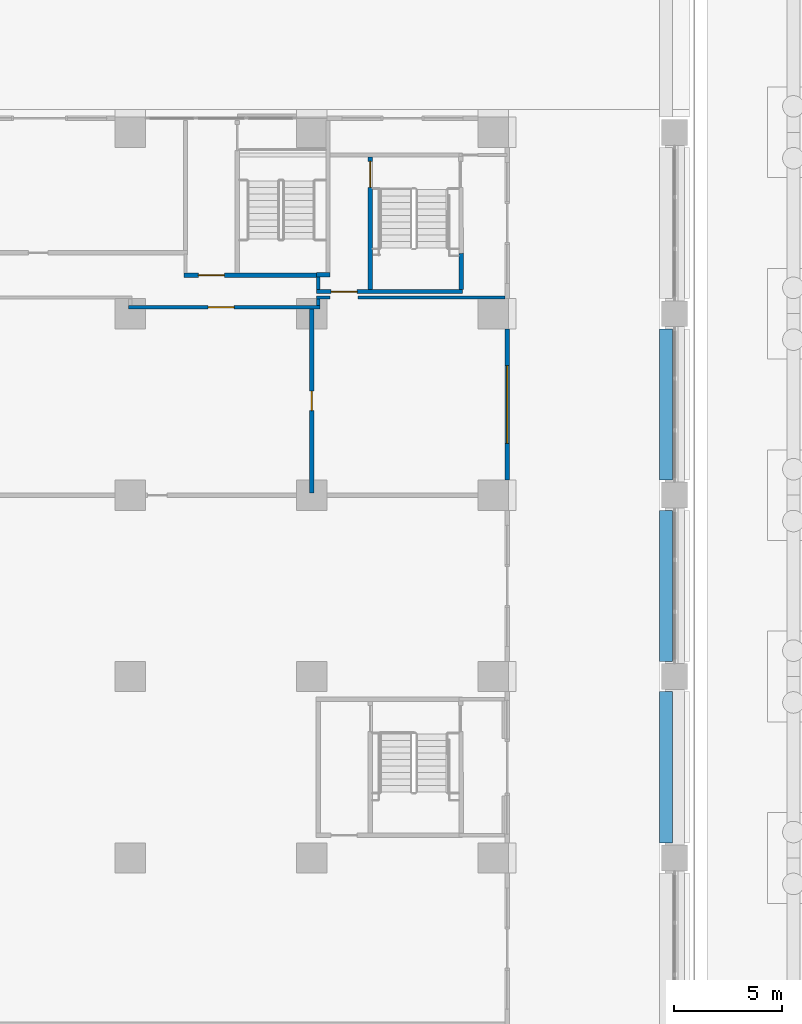
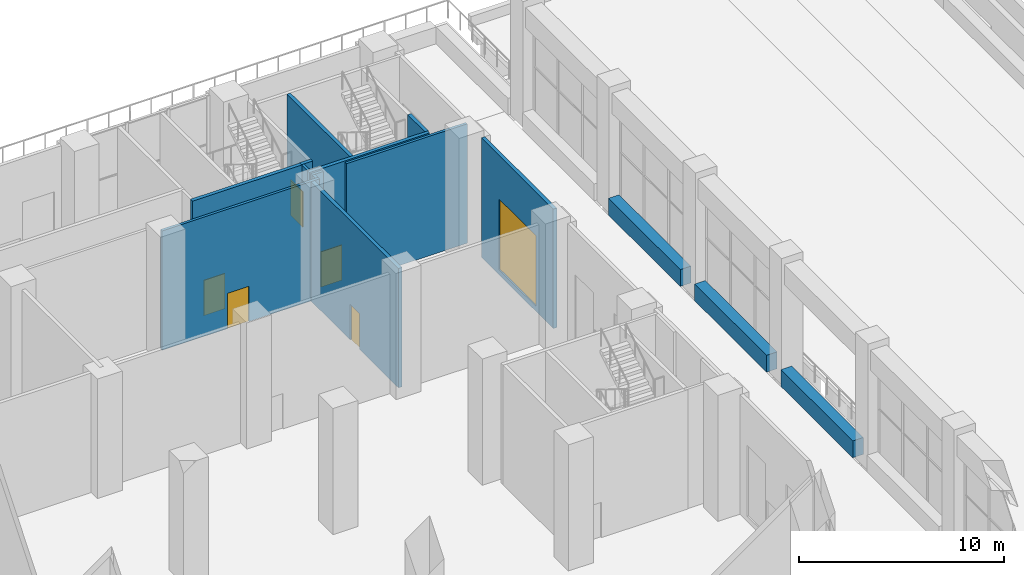
# One storey, part 30 of 53: 15 walls, 5 doors, 1 window, 6 openings.
"""IFC4 building model written with IfcOpenShell, lengths in metres."""

from ifc_helpers import new_model, si_unit, direction, frame, frame_2d, origin, place, context, subcontext, project, spatial, rectangle, extrude, material, layer, layer_set, type_object, element, fill, save


model = new_model("IFC4")

# Units and contexts
model_context = context("Model", 3, precision=1e-05, world=origin(), true_north=direction((0.0, 1.0)))
body_context = subcontext(model_context, "Body", "Model", "MODEL_VIEW")
ifc_project = project(units=[si_unit("LENGTHUNIT", "METRE"), si_unit("AREAUNIT", "SQUARE_METRE"), si_unit("VOLUMEUNIT", "CUBIC_METRE"), si_unit("PLANEANGLEUNIT", "RADIAN"), si_unit("MASSUNIT", "GRAM", prefix="KILO")], contexts=[model_context])

# Site, building, storey
site_placement = place(None, origin())
site = spatial("IfcSite", under=ifc_project, at=site_placement, CompositionType="ELEMENT")
building_placement = place(site_placement, origin())
building = spatial("IfcBuilding", under=site, at=building_placement, Name="Vermilion Ogive Tower", CompositionType="ELEMENT")
storey_placement = place(building_placement, origin())
storey = spatial("IfcBuildingStorey", under=building, at=storey_placement, Name="L00", CompositionType="ELEMENT", Elevation=0.0)

# Wall, opening, door
ifc_material_1 = material(Name="Gypsum board partition on steel studs", Category="steel")
ifc_layer_1 = layer(ifc_material_1, 0.14990234375)
ifc_layer_set_1 = layer_set([ifc_layer_1], Name="Partition 150 corridor")
wall_type_1 = type_object("IfcWallType", Name="Partition 150 corridor", PredefinedType="PARTITIONING", material=ifc_layer_set_1)
wall_1_placement = place(storey_placement, frame((33.52490234375, 21.300048828125, 0.0), z_axis=(0.0, 0.0, 1.0), x_axis=(1.0, 0.0, 0.0)))
wall_1 = element("IfcWall", 1, at=wall_1_placement, inside=storey, type_object=wall_type_1, Name="L00-FS-W-W036", PredefinedType="PARTITIONING", context=body_context, shape_type="SweptSolid", body=[
    extrude(rectangle(XDim=8.85009765625, YDim=0.14990234375, at=frame_2d((4.425048828125, 0.0))), origin(), (0.0, 0.0, 1.0), 7.10009765625),
])
opening_1_placement = place(wall_1_placement, frame((3.675048828125, 0.0, 0.0)))
opening_1 = element("IfcOpeningElement", 2, at=opening_1_placement, cuts=wall_1, Name="Opening L00S046", PredefinedType="OPENING", context=body_context, shape_type="SweptSolid", body=[
    extrude(rectangle(XDim=1.199951171875, YDim=2.10009765625, at=frame_2d((0.60009765625, 1.050048828125))), frame((0.0, 0.0849609375, 0.0), z_axis=(0.0, -1.0, 0.0), x_axis=(1.0, 0.0, 0.0)), (0.0, 0.0, 1.0), 0.169921875),
])
ifc_material_2 = material(Name="Timber door leaf", Category="wood")
door_type_1 = type_object("IfcDoorType", Name="Room door 1200 x 2100 FD30", OperationType="SINGLE_SWING_LEFT", PredefinedType="DOOR", material=ifc_material_2)
door_1_placement = place(opening_1_placement, origin())
door_1 = element("IfcDoor", 3, at=door_1_placement, inside=storey, type_object=door_type_1, Name="L00-FS-D-D046", OperationType="SINGLE_SWING_RIGHT", OverallHeight=2.10009765625, OverallWidth=1.199951171875, PredefinedType="DOOR", context=body_context, shape_type="SweptSolid", body=[
    extrude(rectangle(XDim=1.199951171875, YDim=2.10009765625, at=frame_2d((0.60009765625, 1.050048828125))), frame((0.0, 0.02490234375, 0.0), z_axis=(0.0, -1.0, 0.0), x_axis=(1.0, 0.0, 0.0)), (0.0, 0.0, 1.0), 0.050048828125),
])
fill(opening_1, door_1)

# Walls
wall_2_placement = place(storey_placement, frame((42.22509765625, 21.75, 0.0), z_axis=(0.0, 0.0, 1.0), x_axis=(1.0, 0.0, 0.0)))
element("IfcWall", 4, at=wall_2_placement, inside=storey, type_object=wall_type_1, Name="L00-FS-W-W039", PredefinedType="PARTITIONING", context=body_context, shape_type="SweptSolid", body=[
    extrude(rectangle(XDim=0.624755859375, YDim=0.14990234375, at=frame_2d((0.3125, 0.0))), origin(), (0.0, 0.0, 1.0), 7.10009765625),
])
wall_3_placement = place(storey_placement, frame((42.300048828125, 21.375, 0.0), z_axis=(0.0, 0.0, 1.0), x_axis=(0.0, 1.0, 0.0)))
element("IfcWall", 5, at=wall_3_placement, inside=storey, type_object=wall_type_1, Name="L00-FS-W-W114", PredefinedType="PARTITIONING", context=body_context, shape_type="SweptSolid", body=[
    extrude(rectangle(XDim=0.300048828125, YDim=0.14990234375, at=frame_2d((0.14990234375, 0.0))), origin(), (0.0, 0.0, 1.0), 7.10009765625),
])
wall_4_placement = place(storey_placement, frame((42.300048828125, 22.125, 0.0), z_axis=(0.0, 0.0, 1.0), x_axis=(0.0, 1.0, 0.0)))
element("IfcWall", 6, at=wall_4_placement, inside=storey, type_object=wall_type_1, Name="L00-FS-W-W115", PredefinedType="PARTITIONING", context=body_context, shape_type="SweptSolid", body=[
    extrude(rectangle(XDim=0.574951171875, YDim=0.14990234375, at=frame_2d((0.28759765625, 0.0))), origin(), (0.0, 0.0, 1.0), 7.10009765625),
])
wall_5_placement = place(storey_placement, frame((44.14990234375, 21.75, 0.0), z_axis=(0.0, 0.0, 1.0), x_axis=(1.0, 0.0, 0.0)))
element("IfcWall", 7, at=wall_5_placement, inside=storey, type_object=wall_type_1, Name="L00-FS-W-W039-DO", PredefinedType="PARTITIONING", context=body_context, shape_type="SweptSolid", body=[
    extrude(rectangle(XDim=6.800048828125, YDim=0.14990234375, at=frame_2d((3.39990234375, 0.0))), origin(), (0.0, 0.0, 1.0), 7.10009765625),
])

# Wall, opening, door
ifc_material_3 = material(Name="Gypsum board partition on steel studs", Category="steel")
ifc_layer_2 = layer(ifc_material_3, 0.199951171875)
ifc_layer_set_2 = layer_set([ifc_layer_2], Name="Partition 200 party")
wall_type_2 = type_object("IfcWallType", Name="Partition 200 party", PredefinedType="PARTITIONING", material=ifc_layer_set_2)
wall_6_placement = place(storey_placement, frame((42.0, 12.699951171875, 0.0), z_axis=(0.0, 0.0, 1.0), x_axis=(0.0, 1.0, 0.0)))
wall_6 = element("IfcWall", 8, at=wall_6_placement, inside=storey, type_object=wall_type_2, Name="L00-FS-W-W111", PredefinedType="PARTITIONING", context=body_context, shape_type="SweptSolid", body=[
    extrude(rectangle(XDim=8.525146484375, YDim=0.199951171875, at=frame_2d((4.2626953125, 0.0))), origin(), (0.0, 0.0, 1.0), 7.10009765625),
])
opening_2_placement = place(wall_6_placement, frame((3.8125, 0.0, 0.0)))
opening_2 = element("IfcOpeningElement", 9, at=opening_2_placement, cuts=wall_6, Name="Opening L00S047", PredefinedType="OPENING", context=body_context, shape_type="SweptSolid", body=[
    extrude(rectangle(XDim=0.89990234375, YDim=2.10009765625, at=frame_2d((0.449951171875, 1.050048828125))), frame((0.0, 0.10986328125, 0.0), z_axis=(0.0, -1.0, 0.0), x_axis=(1.0, 0.0, 0.0)), (0.0, 0.0, 1.0), 0.219970703125),
])
ifc_material_4 = material(Name="Timber door leaf", Category="wood")
door_type_2 = type_object("IfcDoorType", Name="Room door 900 x 2100 FD30", OperationType="SINGLE_SWING_LEFT", PredefinedType="DOOR", material=ifc_material_4)
door_2_placement = place(opening_2_placement, origin())
door_2 = element("IfcDoor", 10, at=door_2_placement, inside=storey, type_object=door_type_2, Name="L00-FS-D-D047", OperationType="SINGLE_SWING_RIGHT", OverallHeight=2.10009765625, OverallWidth=0.89990234375, PredefinedType="DOOR", context=body_context, shape_type="SweptSolid", body=[
    extrude(rectangle(XDim=0.89990234375, YDim=2.10009765625, at=frame_2d((0.449951171875, 1.050048828125))), frame((0.0, 0.02490234375, 0.0), z_axis=(0.0, -1.0, 0.0), x_axis=(1.0, 0.0, 0.0)), (0.0, 0.0, 1.0), 0.050048828125),
])
fill(opening_2, door_2)

ifc_material_5 = material(Name="Concrete B60", Category="concrete")
ifc_layer_3 = layer(ifc_material_5, 0.199951171875)
ifc_layer_set_3 = layer_set([ifc_layer_3], Name="Stair shaft wall 200 Concrete B60")
wall_type_3 = type_object("IfcWallType", Name="Stair shaft wall 200 Concrete B60", PredefinedType="SOLIDWALL", material=ifc_layer_set_3)
wall_7_placement = place(storey_placement, frame((42.22509765625, 22.025146484375, 0.0), z_axis=(0.0, 0.0, 1.0), x_axis=(1.0, 0.0, 0.0)))
wall_7 = element("IfcWall", 11, at=wall_7_placement, inside=storey, type_object=wall_type_3, Name="L00-FS-W-W040", PredefinedType="SOLIDWALL", context=body_context, shape_type="SweptSolid", body=[
    extrude(rectangle(XDim=6.75, YDim=0.199951171875, at=frame_2d((3.375, 0.0))), origin(), (0.0, 0.0, 1.0), 7.10009765625),
])
opening_3_placement = place(wall_7_placement, frame((0.6748046875, 0.0, 0.0)))
opening_3 = element("IfcOpeningElement", 12, at=opening_3_placement, cuts=wall_7, Name="Opening L00S023", PredefinedType="OPENING", context=body_context, shape_type="SweptSolid", body=[
    extrude(rectangle(XDim=1.199951171875, YDim=2.10009765625, at=frame_2d((0.60009765625, 1.050048828125))), frame((0.0, 0.10986328125, 0.0), z_axis=(0.0, -1.0, 0.0), x_axis=(1.0, 0.0, 0.0)), (0.0, 0.0, 1.0), 0.219970703125),
])
ifc_material_6 = material(Name="Timber door leaf", Category="wood")
door_type_3 = type_object("IfcDoorType", Name="Stair door 1200 x 2100 FD60S", OperationType="SINGLE_SWING_LEFT", PredefinedType="DOOR", material=ifc_material_6)
door_3_placement = place(opening_3_placement, origin())
door_3 = element("IfcDoor", 13, at=door_3_placement, inside=storey, type_object=door_type_3, Name="L00-FS-D-D023", OperationType="SINGLE_SWING_LEFT", OverallHeight=2.10009765625, OverallWidth=1.199951171875, PredefinedType="DOOR", context=body_context, shape_type="SweptSolid", body=[
    extrude(rectangle(XDim=1.199951171875, YDim=2.10009765625, at=frame_2d((0.60009765625, 1.050048828125))), frame((0.0, 0.02490234375, 0.0), z_axis=(0.0, -1.0, 0.0), x_axis=(1.0, 0.0, 0.0)), (0.0, 0.0, 1.0), 0.050048828125),
])
fill(opening_3, door_3)

wall_8_placement = place(storey_placement, frame((36.074951171875, 22.775146484375, 0.0), z_axis=(0.0, 0.0, 1.0), x_axis=(1.0, 0.0, 0.0)))
wall_8 = element("IfcWall", 14, at=wall_8_placement, inside=storey, type_object=wall_type_3, Name="L00-FS-W-W041", PredefinedType="SOLIDWALL", context=body_context, shape_type="SweptSolid", body=[
    extrude(rectangle(XDim=6.300048828125, YDim=0.199951171875, at=frame_2d((3.14990234375, 0.0))), origin(), (0.0, 0.0, 1.0), 7.10009765625),
])
opening_4_placement = place(wall_8_placement, frame((0.675048828125, 0.0, 0.0)))
opening_4 = element("IfcOpeningElement", 15, at=opening_4_placement, cuts=wall_8, Name="Opening L00S018", PredefinedType="OPENING", context=body_context, shape_type="SweptSolid", body=[
    extrude(rectangle(XDim=1.199951171875, YDim=2.10009765625, at=frame_2d((0.60009765625, 1.050048828125))), frame((0.0, 0.10986328125, 0.0), z_axis=(0.0, -1.0, 0.0), x_axis=(1.0, 0.0, 0.0)), (0.0, 0.0, 1.0), 0.219970703125),
])
door_4_placement = place(opening_4_placement, origin())
door_4 = element("IfcDoor", 16, at=door_4_placement, inside=storey, type_object=door_type_3, Name="L00-FS-D-D018", OperationType="SINGLE_SWING_LEFT", OverallHeight=2.10009765625, OverallWidth=1.199951171875, PredefinedType="DOOR", context=body_context, shape_type="SweptSolid", body=[
    extrude(rectangle(XDim=1.199951171875, YDim=2.10009765625, at=frame_2d((0.60009765625, 1.050048828125))), frame((0.0, 0.02490234375, 0.0), z_axis=(0.0, -1.0, 0.0), x_axis=(1.0, 0.0, 0.0)), (0.0, 0.0, 1.0), 0.050048828125),
])
fill(opening_4, door_4)

# Wall
wall_9_placement = place(storey_placement, frame((42.22509765625, 22.800048828125, 0.0), z_axis=(0.0, 0.0, 1.0), x_axis=(1.0, 0.0, 0.0)))
element("IfcWall", 17, at=wall_9_placement, inside=storey, type_object=wall_type_3, Name="L00-FS-W-W042", PredefinedType="SOLIDWALL", context=body_context, shape_type="SweptSolid", body=[
    extrude(rectangle(XDim=0.625, YDim=0.199951171875, at=frame_2d((0.3125, 0.0))), origin(), (0.0, 0.0, 1.0), 7.10009765625),
])

# Wall, opening, door
wall_10_placement = place(storey_placement, frame((44.699951171875, 22.125, 0.0), z_axis=(0.0, 0.0, 1.0), x_axis=(0.0, 1.0, 0.0)))
wall_10 = element("IfcWall", 18, at=wall_10_placement, inside=storey, type_object=wall_type_3, Name="L00-FS-W-W121", PredefinedType="SOLIDWALL", context=body_context, shape_type="SweptSolid", body=[
    extrude(rectangle(XDim=6.125, YDim=0.199951171875, at=frame_2d((3.0625, 0.0))), origin(), (0.0, 0.0, 1.0), 7.10009765625),
])
opening_5_placement = place(wall_10_placement, frame((4.72509765625, 0.0, 0.0)))
opening_5 = element("IfcOpeningElement", 19, at=opening_5_placement, cuts=wall_10, Name="Opening L00S007", PredefinedType="OPENING", context=body_context, shape_type="SweptSolid", body=[
    extrude(rectangle(XDim=1.199951171875, YDim=2.10009765625, at=frame_2d((0.60009765625, 1.050048828125))), frame((0.0, 0.10986328125, 0.0), z_axis=(0.0, -1.0, 0.0), x_axis=(1.0, 0.0, 0.0)), (0.0, 0.0, 1.0), 0.219970703125),
])
door_5_placement = place(opening_5_placement, origin())
door_5 = element("IfcDoor", 20, at=door_5_placement, inside=storey, type_object=door_type_3, Name="L00-FS-D-D007", OperationType="DOUBLE_DOOR_SINGLE_SWING", OverallHeight=2.10009765625, OverallWidth=1.199951171875, PredefinedType="DOOR", context=body_context, shape_type="SweptSolid", body=[
    extrude(rectangle(XDim=1.199951171875, YDim=2.10009765625, at=frame_2d((0.60009765625, 1.050048828125))), frame((0.0, 0.02490234375, 0.0), z_axis=(0.0, -1.0, 0.0), x_axis=(1.0, 0.0, 0.0)), (0.0, 0.0, 1.0), 0.050048828125),
])
fill(opening_5, door_5)

# Walls
wall_11_placement = place(storey_placement, frame((48.9248046875, 22.125, 0.0), z_axis=(0.0, 0.0, 1.0), x_axis=(-0.003935829573, 0.999992254593, 0.0)))
element("IfcWall", 21, at=wall_11_placement, inside=storey, type_object=wall_type_3, Name="L00-FS-W-W124", PredefinedType="SOLIDWALL", context=body_context, shape_type="SweptSolid", body=[
    extrude(rectangle(XDim=1.6748046875, YDim=0.199951171875, at=frame_2d((0.83740234375, 0.0))), origin(), (0.0, 0.0, 1.0), 7.10009765625),
])
ifc_material_7 = material(Name="Concrete B40", Category="concrete")
ifc_layer_4 = layer(ifc_material_7, 0.60009765625)
ifc_layer_set_4 = layer_set([ifc_layer_4], Name="Terrace planter")
wall_type_4 = type_object("IfcWallType", Name="Terrace planter", PredefinedType="USERDEFINED", material=ifc_layer_set_4)
for number, where, z_axis, x_axis, name in (
    (22, (58.39990234375, 20.300048828125, 0.0), (0.0, 0.0, 1.0), (0.0, -1.0, 0.0), "Terrace planter 1.1.15"),
    (23, (58.39990234375, 11.89990234375, 0.0), (0.0, 0.0, 1.0), (0.0, -1.0, 0.0), "Terrace planter 1.1.16"),
    (24, (58.39990234375, 3.5, 0.0), (0.0, 0.0, 1.0), (0.0, -1.0, 0.0), "Terrace planter 1.1.17"),
):
    element("IfcWall", number, at=place(storey_placement, frame(where, z_axis=z_axis, x_axis=x_axis)), inside=storey, type_object=wall_type_4, Name=name, ObjectType="PLANTER", PredefinedType="USERDEFINED", context=body_context, shape_type="SweptSolid", body=[
        extrude(rectangle(XDim=7.0, YDim=0.60009765625, at=frame_2d((3.5, 0.0))), origin(), (0.0, 0.0, 1.0), 1.0),
    ])

# Wall, opening, window
ifc_material_8 = material(Name="Aluminium window wall framing", Category="aluminium")
ifc_layer_5 = layer(ifc_material_8, 0.199951171875)
ifc_layer_set_5 = layer_set([ifc_layer_5], Name="Window wall")
wall_type_5 = type_object("IfcWallType", Name="Window wall", PredefinedType="STANDARD", material=ifc_layer_set_5)
wall_12_placement = place(storey_placement, frame((51.050048828125, 13.300048828125, 0.0), z_axis=(0.0, 0.0, 1.0), x_axis=(0.0, 1.0, 0.0)))
wall_12 = element("IfcWall", 25, at=wall_12_placement, inside=storey, type_object=wall_type_5, Name="Window wall E6", PredefinedType="STANDARD", context=body_context, shape_type="SweptSolid", body=[
    extrude(rectangle(XDim=7.0, YDim=0.199951171875, at=frame_2d((3.5, 0.0))), origin(), (0.0, 0.0, 1.0), 7.10009765625),
])
opening_6_placement = place(wall_12_placement, frame((1.699951171875, 0.0, 0.300048828125)))
opening_6 = element("IfcOpeningElement", 26, at=opening_6_placement, cuts=wall_12, Name="Opening P-E6", PredefinedType="OPENING", context=body_context, shape_type="SweptSolid", body=[
    extrude(rectangle(XDim=3.60009765625, YDim=4.199951171875, at=frame_2d((1.800048828125, 2.10009765625))), frame((0.0, 0.10986328125, 0.0), z_axis=(0.0, -1.0, 0.0), x_axis=(1.0, 0.0, 0.0)), (0.0, 0.0, 1.0), 0.219970703125),
])
ifc_material_9 = material(Name="Aluminium framed double glazing", Category="aluminium")
window_type = type_object("IfcWindowType", Name="Podium window P 3600x4200 sill 300", PartitioningType="SINGLE_PANEL", PredefinedType="WINDOW", material=ifc_material_9)
window_placement = place(opening_6_placement, origin())
window = element("IfcWindow", 27, at=window_placement, inside=storey, type_object=window_type, Name="Window E6", OverallHeight=4.199951171875, OverallWidth=3.60009765625, PartitioningType="SINGLE_PANEL", PredefinedType="WINDOW", context=body_context, shape_type="SweptSolid", body=[
    extrude(rectangle(XDim=3.60009765625, YDim=4.199951171875, at=frame_2d((1.800048828125, 2.10009765625))), frame((0.0, 0.030029296875, 0.0), z_axis=(0.0, -1.0, 0.0), x_axis=(1.0, 0.0, 0.0)), (0.0, 0.0, 1.0), 0.06005859375),
])
fill(opening_6, window)

save(model, "model.ifc")
